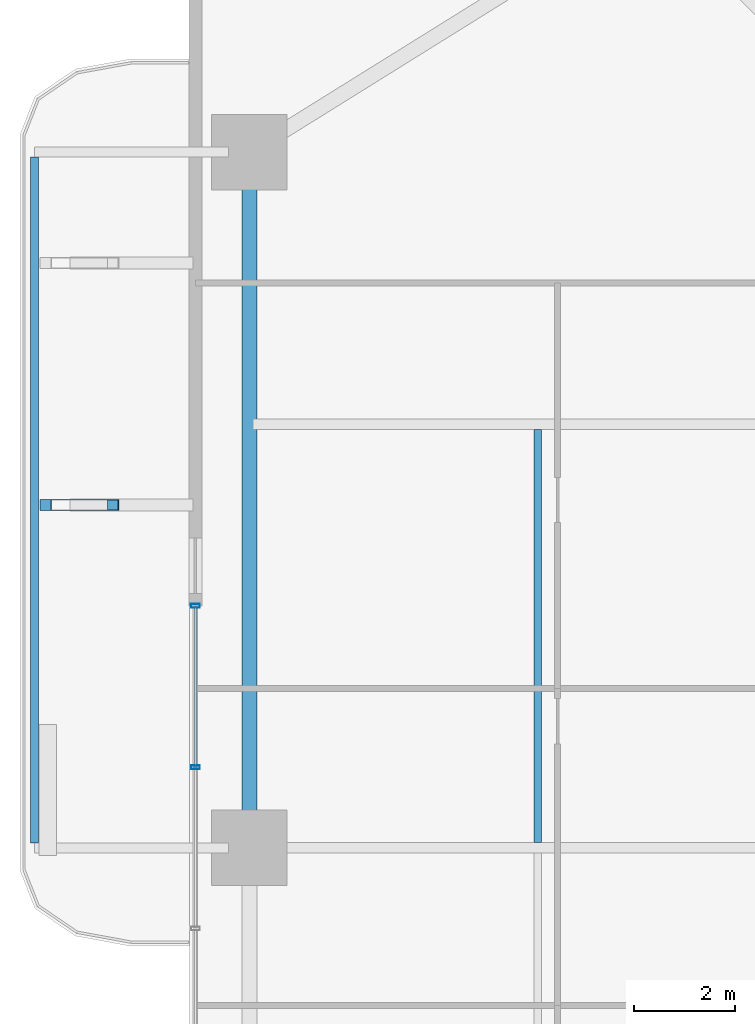
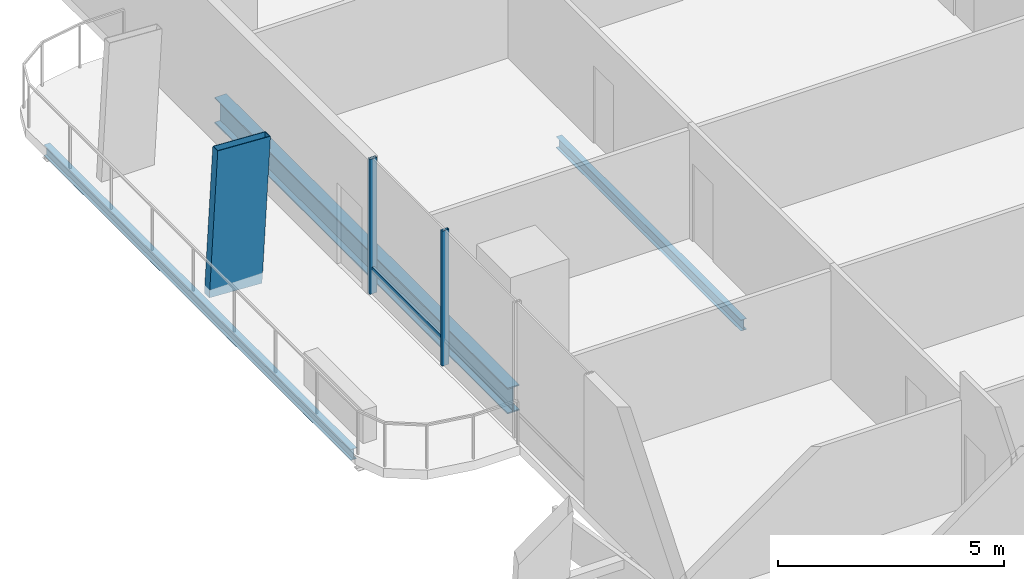
# One storey, part 9 of 23: 4 members, 3 beams, 1 element without a shape of its own.
"""IFC4 building model written with IfcOpenShell, lengths in metres."""

import ifcopenshell
import ifcopenshell.guid

model = None  # the IFC model being written
_history = None  # IfcOwnerHistory: only IFC2X3 demands one
_inside = {}  # id of a spatial element -> (the spatial element, [elements in it])
_under = {}  # id of a project, library or spatial element -> (it, [spatial elements below it])
_declared = {}  # id of a project -> (the project, [libraries it declares])
_typed = {}  # id of a type object -> (the type object, [elements of that type])
_made_of = {}  # id of a material, layer set ... -> (it, [elements and type objects made of it])


def new_model(schema):
    """Start an empty IFC model of exactly this schema.

    Asked for "IFC4X3", IfcOpenShell would pick the latest addendum, in which some entities
    have other attributes; the version numbers below select the first issue.
    IFC2X3 requires an IfcOwnerHistory on every rooted entity: one is made here for all.
    """
    global model, _history
    if schema == "IFC4X3":
        model = ifcopenshell.file(schema_version=(4, 3, 0, 0))
    else:
        model = ifcopenshell.file(schema=schema)
    _inside.clear()
    _under.clear()
    _declared.clear()
    _typed.clear()
    _made_of.clear()
    _history = None
    if model.schema == "IFC2X3":
        org = make("IfcOrganization", Name="unknown")
        user = make(
            "IfcPersonAndOrganization",
            ThePerson=make("IfcPerson", FamilyName="unknown"),
            TheOrganization=org,
        )
        app = make(
            "IfcApplication",
            ApplicationDeveloper=org,
            Version="unknown",
            ApplicationFullName="unknown",
            ApplicationIdentifier="unknown",
        )
        _history = make(
            "IfcOwnerHistory",
            OwningUser=user,
            OwningApplication=app,
            ChangeAction="ADDED",
            CreationDate=0,
        )
    return model


def make(cls, **values):
    """One entity of the class cls with the attributes given. An attribute that is None is left unset."""
    return model.create_entity(
        cls, **{name: value for name, value in values.items() if value is not None}
    )


def rooted(cls, **values):
    """An entity with a GlobalId (a new one), such as an element, a storey or a relation."""
    return make(cls, GlobalId=ifcopenshell.guid.new(), OwnerHistory=_history, **values)


def si_unit(unit_type, name, prefix=None):
    """IfcSIUnit, for example si_unit("LENGTHUNIT", "METRE", prefix="MILLI")."""
    return make("IfcSIUnit", UnitType=unit_type, Prefix=prefix, Name=name)


def assignment(units):
    """IfcUnitAssignment: the units of a project."""
    return None if units is None else make("IfcUnitAssignment", Units=units)


def point(xyz):
    """IfcCartesianPoint."""
    return None if xyz is None else make("IfcCartesianPoint", Coordinates=xyz)


def direction(xyz):
    """IfcDirection."""
    return None if xyz is None else make("IfcDirection", DirectionRatios=xyz)


def frame(location, z_axis=None, x_axis=None):
    """IfcAxis2Placement3D, a coordinate frame: its origin and axes. An axis left out is left unset."""
    return make(
        "IfcAxis2Placement3D",
        Location=point(location),
        Axis=direction(z_axis),
        RefDirection=direction(x_axis),
    )


def frame_2d(location, x_axis=None):
    """IfcAxis2Placement2D, a coordinate frame in the plane: its origin and x axis."""
    return make(
        "IfcAxis2Placement2D", Location=point(location), RefDirection=direction(x_axis)
    )


def origin():
    """The frame at (0, 0, 0) with its axes left unset."""
    return frame((0.0, 0.0, 0.0))


def origin_2d():
    """The frame at (0, 0) in the plane with its x axis left unset."""
    return frame_2d((0.0, 0.0))


def place(relative_to, where):
    """IfcLocalPlacement: puts the frame where relative to a parent placement (None: the world)."""
    return make(
        "IfcLocalPlacement", PlacementRelTo=relative_to, RelativePlacement=where
    )


def context(
    kind, dimensions, precision=None, world=None, true_north=None, identifier=None
):
    """IfcGeometricRepresentationContext, for example the 3D "Model" context."""
    return make(
        "IfcGeometricRepresentationContext",
        ContextIdentifier=identifier,
        ContextType=kind,
        CoordinateSpaceDimension=dimensions,
        Precision=precision,
        WorldCoordinateSystem=world,
        TrueNorth=true_north,
    )


def subcontext(parent, identifier, kind, view, scale=None):
    """IfcGeometricRepresentationSubContext, for example "Body" below "Model"."""
    return make(
        "IfcGeometricRepresentationSubContext",
        ContextIdentifier=identifier,
        ContextType=kind,
        ParentContext=parent,
        TargetScale=scale,
        TargetView=view,
    )


def project(units=None, contexts=None):
    """IfcProject with its units and contexts."""
    return rooted(
        "IfcProject",
        Name="project",
        RepresentationContexts=contexts,
        UnitsInContext=assignment(units),
    )


def spatial(cls, under=None, at=None, **own):
    """A site, building, storey or space (cls), placed at a placement, below another one or the project."""
    s = rooted(cls, ObjectPlacement=at, **own)
    if under is not None:
        _under.setdefault(under.id(), (under, []))[1].append(s)
    return s


def profile(cls, at=None, kind="AREA", **sizes):
    """A parametric profile (cls). Its sizes go by their IFC names, for example OverallWidth=200.0."""
    return make(cls, ProfileType=kind, Position=at, **sizes)


def hollow_rectangle(**sizes):
    """IfcRectangleHollowProfileDef."""
    return profile("IfcRectangleHollowProfileDef", **sizes)


def i_section(**sizes):
    """IfcIShapeProfileDef."""
    return profile("IfcIShapeProfileDef", **sizes)


def extrude(swept, where, along, depth):
    """IfcExtrudedAreaSolid: the profile swept, set in the frame where, extruded along a direction by depth."""
    return make(
        "IfcExtrudedAreaSolid",
        SweptArea=swept,
        Position=where,
        ExtrudedDirection=direction(along),
        Depth=depth,
    )


def shape(context_of_items, identifier, shape_type, items):
    """IfcShapeRepresentation: the items that make up one representation, for example the "Body"."""
    return make(
        "IfcShapeRepresentation",
        ContextOfItems=context_of_items,
        RepresentationIdentifier=identifier,
        RepresentationType=shape_type,
        Items=items,
    )


def material(Name=None, Category=None):
    """IfcMaterial."""
    return make("IfcMaterial", Name=Name, Category=Category)


def layer(
    of_material, thickness, ventilated=None, Name=None, Category=None, Priority=None
):
    """IfcMaterialLayer: one layer of a wall or slab, of a material (None: an air gap)."""
    return make(
        "IfcMaterialLayer",
        Material=of_material,
        LayerThickness=thickness,
        IsVentilated=ventilated,
        Name=Name,
        Category=Category,
        Priority=Priority,
    )


def layer_set(layers, Name=None):
    """IfcMaterialLayerSet."""
    return make("IfcMaterialLayerSet", MaterialLayers=layers, LayerSetName=Name)


def material_profile(
    of_material, cross_section, Name=None, Category=None, Priority=None
):
    """IfcMaterialProfile: a cross section and its material."""
    return make(
        "IfcMaterialProfile",
        Name=Name,
        Material=of_material,
        Profile=cross_section,
        Priority=Priority,
        Category=Category,
    )


def profile_set(profiles, Name=None, composite=None):
    """IfcMaterialProfileSet."""
    return make(
        "IfcMaterialProfileSet",
        Name=Name,
        MaterialProfiles=profiles,
        CompositeProfile=composite,
    )


def made_of(thing, what):
    """Note that an element or type object is made of a material, layer set ...; save() writes the relation."""
    if what is not None:
        _made_of.setdefault(what.id(), (what, []))[1].append(thing)
    return thing


def type_object(cls, material=None, **own):
    """A type object (cls), such as IfcWallType, which elements share."""
    return made_of(rooted(cls, **own), material)


def element(
    cls,
    number,
    at=None,
    inside=None,
    cuts=None,
    type_object=None,
    material=None,
    context=None,
    identifier="Body",
    shape_type=None,
    held_by="IfcProductDefinitionShape",
    body=None,
    shapes=None,
    **own,
):
    """One element of the class cls, such as IfcWall. Its Tag is "e" and its number.

    at: its placement. inside: the storey or other place that contains it. cuts: it is an
    opening in that element (IfcRelVoidsElement). A single representation is given by context,
    identifier, shape_type and body (its items); several are given by shapes. held_by: the class
    of the entity that holds the representations. save() writes the other relations.
    """
    e = rooted(cls, Tag="e%d" % number, ObjectPlacement=at, **own)
    if body is not None:
        shapes = [shape(context, identifier, shape_type, body)]
    if shapes is not None:
        e.Representation = make(held_by, Representations=shapes)
    if inside is not None:
        _inside.setdefault(inside.id(), (inside, []))[1].append(e)
    if cuts is not None:
        rooted(
            "IfcRelVoidsElement", RelatingBuildingElement=cuts, RelatedOpeningElement=e
        )
    if type_object is not None:
        _typed.setdefault(type_object.id(), (type_object, []))[1].append(e)
    return made_of(e, material)


def aggregate(whole, parts):
    """IfcRelAggregates: a whole, such as a stair, and the parts it consists of."""
    return rooted("IfcRelAggregates", RelatingObject=whole, RelatedObjects=parts)


def save(model, path):
    """Write the relations noted so far, then the file.

    IfcRelAggregates (storeys below a building ...), IfcRelContainedInSpatialStructure (elements
    in a storey), IfcRelDefinesByType, IfcRelAssociatesMaterial and IfcRelDeclares: one each for
    every whole, place, type object, material and project.
    """
    for whole, parts in _under.values():
        aggregate(whole, parts)
    for where, things in _inside.values():
        rooted(
            "IfcRelContainedInSpatialStructure",
            RelatedElements=things,
            RelatingStructure=where,
        )
    for kind, things in _typed.values():
        rooted("IfcRelDefinesByType", RelatedObjects=things, RelatingType=kind)
    for what, things in _made_of.values():
        rooted("IfcRelAssociatesMaterial", RelatedObjects=things, RelatingMaterial=what)
    for by, libraries in _declared.values():
        rooted("IfcRelDeclares", RelatingContext=by, RelatedDefinitions=libraries)
    model.write(path)


model = new_model("IFC4")

# Units and contexts
model_context = context("Model", 3, precision=1e-05, world=origin(), true_north=direction((0.0, 1.0)))
body_context = subcontext(model_context, "Body", "Model", "MODEL_VIEW")
ifc_project = project(units=[si_unit("LENGTHUNIT", "METRE"), si_unit("AREAUNIT", "SQUARE_METRE"), si_unit("VOLUMEUNIT", "CUBIC_METRE"), si_unit("PLANEANGLEUNIT", "RADIAN"), si_unit("MASSUNIT", "GRAM", prefix="KILO")], contexts=[model_context])

# Site, building, storey
site_placement = place(None, origin())
site = spatial("IfcSite", under=ifc_project, at=site_placement, CompositionType="ELEMENT")
building_placement = place(site_placement, origin())
building = spatial("IfcBuilding", under=site, at=building_placement, Name="Belovzor Exchange Tower", CompositionType="ELEMENT")
storey_placement = place(building_placement, frame((0.0, 0.0, 53.39990234375)))
storey = spatial("IfcBuildingStorey", under=building, at=storey_placement, Name="L12", CompositionType="ELEMENT", Elevation=53.39990234375)

# Member
ifc_material_1 = material(Name="Extruded Architectural Terracotta on Steel S355 Carrier", Category="masonry")
ifc_material_profile_1 = material_profile(ifc_material_1, hollow_rectangle(XDim=0.219970703125, YDim=1.35009765625, WallThickness=0.013916015625, at=origin_2d()))
ifc_profile_set_1 = profile_set([ifc_material_profile_1], Name="Extruded Architectural Terracotta on Steel S355 Carrier")
member_type_1 = type_object("IfcMemberType", Name="Base Arc Sweeping Terracotta Pylon Fin 1450", PredefinedType="USERDEFINED", material=ifc_profile_set_1)
member_1_placement = place(storey_placement, frame((-1.37890625, 35.60009765625, -0.25), z_axis=(0.055251933744, 0.0, 0.998472445197), x_axis=(0.0, 1.0, 0.0)))
element("IfcMember", 1, at=member_1_placement, inside=storey, type_object=member_type_1, Name="FIN-TC145 Terracotta Facade Fin L12 W3", ObjectType="FIN", PredefinedType="USERDEFINED", context=body_context, shape_type="SweptSolid", body=[
    extrude(hollow_rectangle(XDim=0.219970703125, YDim=1.35009765625, WallThickness=0.013916015625, at=origin_2d()), origin(), (0.0, 0.0, 1.0), 3.906005859375),
])

# Beams
ifc_material_2 = material(Name="Steel S355", Category="steel")
ifc_material_profile_2 = material_profile(ifc_material_2, i_section(OverallWidth=0.14990234375, OverallDepth=0.300048828125, WebThickness=0.007080078125, FlangeThickness=0.0107421875, at=origin_2d()))
ifc_profile_set_2 = profile_set([ifc_material_profile_2], Name="Steel S355")
beam_type_1 = type_object("IfcBeamType", Name="Planted Balcony Fascia Edge Beam IPE 300", PredefinedType="BEAM", material=ifc_profile_set_2)
beam_1_placement = place(storey_placement, frame((-2.162109375, 42.5, -0.39990234375), z_axis=(0.0, -1.0, 0.0), x_axis=(1.0, 0.0, 0.0)))
element("IfcBeam", 2, at=beam_1_placement, inside=storey, type_object=beam_type_1, Name="BC-300 Planted Balcony Fascia Edge Beam IPE 300", PredefinedType="BEAM", context=body_context, shape_type="SweptSolid", body=[
    extrude(i_section(OverallWidth=0.14990234375, OverallDepth=0.300048828125, WebThickness=0.007080078125, FlangeThickness=0.0107421875, at=origin_2d()), origin(), (0.0, 0.0, 1.0), 13.60009765625),
])
ifc_material_3 = material(Name="Steel S355", Category="steel")
ifc_material_profile_3 = material_profile(ifc_material_3, i_section(OverallWidth=0.14990234375, OverallDepth=0.300048828125, WebThickness=0.007080078125, FlangeThickness=0.0107421875, at=origin_2d()))
ifc_profile_set_3 = profile_set([ifc_material_profile_3], Name="Steel S355")
beam_type_2 = type_object("IfcBeamType", Name="Secondary Trim Floor Joist IPE 300", PredefinedType="BEAM", material=ifc_profile_set_3)
beam_2_placement = place(storey_placement, frame((7.81494140625, 28.905029296875, -0.39990234375), z_axis=(0.0, 1.0, 0.0), x_axis=(-1.0, 0.0, 0.0)))
element("IfcBeam", 3, at=beam_2_placement, inside=storey, type_object=beam_type_2, Name="FJ-300 Secondary Trim Floor Joist IPE 300", PredefinedType="BEAM", context=body_context, shape_type="SweptSolid", body=[
    extrude(i_section(OverallWidth=0.14990234375, OverallDepth=0.300048828125, WebThickness=0.007080078125, FlangeThickness=0.0107421875, at=origin_2d()), origin(), (0.0, 0.0, 1.0), 8.18994140625),
])

# Curtain wall, members
ifc_material_4 = material(Name="Anodised Aluminium Framing", Category="aluminium")
ifc_layer = layer(ifc_material_4, 0.179931640625)
ifc_layer_set = layer_set([ifc_layer], Name="Anodised Aluminium Framing")
curtain_wall_type = type_object("IfcCurtainWallType", Name="Recessed Loggia Low-Iron Triple-Glazed Curtain Wall", PredefinedType="NOTDEFINED", material=ifc_layer_set)
curtain_wall_placement = place(storey_placement, origin())
curtain_wall = element("IfcCurtainWall", 4, at=curtain_wall_placement, inside=storey, type_object=curtain_wall_type, Name="CW3 Recessed Loggia Low-Iron Triple-Glazed Curtain Wall L12", PredefinedType="NOTDEFINED")
ifc_material_5 = material(Name="Steel S355", Category="steel")
ifc_material_profile_4 = material_profile(ifc_material_5, hollow_rectangle(XDim=0.074951171875, YDim=0.179931640625, WallThickness=0.0048828125, at=origin_2d()))
ifc_profile_set_4 = profile_set([ifc_material_profile_4], Name="Steel S355")
member_type_2 = type_object("IfcMemberType", Name="Thermally Broken Curtain Wall Mullion 180x75", PredefinedType="MULLION", material=ifc_profile_set_4)
member_2_placement = place(storey_placement, frame((1.030029296875, 30.39990234375, 0.0), z_axis=(0.0, 0.0, 1.0), x_axis=(0.0, 1.0, 0.0)))
member_2 = element("IfcMember", 5, at=member_2_placement, type_object=member_type_2, Name="CW-M180 Curtain Wall Mullion 3", PredefinedType="MULLION", context=body_context, shape_type="SweptSolid", body=[
    extrude(hollow_rectangle(XDim=0.074951171875, YDim=0.179931640625, WallThickness=0.0048828125, at=origin_2d()), origin(), (0.0, 0.0, 1.0), 3.650146484375),
])
member_3_placement = place(storey_placement, frame((1.030029296875, 33.60009765625, 0.0), z_axis=(0.0, 0.0, 1.0), x_axis=(0.0, 1.0, 0.0)))
member_3 = element("IfcMember", 6, at=member_3_placement, type_object=member_type_2, Name="CW-M180 Curtain Wall Mullion 4", PredefinedType="MULLION", context=body_context, shape_type="SweptSolid", body=[
    extrude(hollow_rectangle(XDim=0.074951171875, YDim=0.179931640625, WallThickness=0.0048828125, at=origin_2d()), origin(), (0.0, 0.0, 1.0), 3.650146484375),
])
ifc_material_6 = material(Name="Steel S355", Category="steel")
ifc_material_profile_5 = material_profile(ifc_material_6, hollow_rectangle(XDim=0.06005859375, YDim=0.14990234375, WallThickness=0.00390625, at=origin_2d()))
ifc_profile_set_5 = profile_set([ifc_material_profile_5], Name="Steel S355")
member_type_3 = type_object("IfcMemberType", Name="Thermally Broken Curtain Wall Transom 150x60", PredefinedType="USERDEFINED", material=ifc_profile_set_5)
member_4_placement = place(storey_placement, frame((1.030029296875, 30.407958984375, 0.650146484375), z_axis=(0.0, 1.0, 0.0), x_axis=(-1.0, 0.0, 0.0)))
member_4 = element("IfcMember", 7, at=member_4_placement, type_object=member_type_3, Name="CW-T150 Curtain Wall Transom 3", ObjectType="TRANSOM", PredefinedType="USERDEFINED", context=body_context, shape_type="SweptSolid", body=[
    extrude(hollow_rectangle(XDim=0.06005859375, YDim=0.14990234375, WallThickness=0.00390625, at=origin_2d()), origin(), (0.0, 0.0, 1.0), 3.18408203125),
])
aggregate(curtain_wall, [member_2, member_3, member_4])

# Beam
ifc_material_7 = material(Name="Steel S355", Category="steel")
ifc_material_profile_6 = material_profile(ifc_material_7, i_section(OverallWidth=0.300048828125, OverallDepth=0.699951171875, WebThickness=0.01708984375, FlangeThickness=0.031982421875, at=origin_2d()))
ifc_profile_set_6 = profile_set([ifc_material_profile_6], Name="Steel S355")
beam_type_3 = type_object("IfcBeamType", Name="Zone 1 Primary Perimeter Girder HEB 700", PredefinedType="BEAM", material=ifc_profile_set_6)
beam_3_placement = place(storey_placement, frame((2.10009765625, 42.18798828125, -0.599853515625), z_axis=(0.0, -1.0, 0.0), x_axis=(1.0, 0.0, 0.0)))
element("IfcBeam", 8, at=beam_3_placement, inside=storey, type_object=beam_type_3, Name="FG-Z1 Zone 1 Primary Perimeter Girder HEB 700", PredefinedType="BEAM", context=body_context, shape_type="SweptSolid", body=[
    extrude(i_section(OverallWidth=0.300048828125, OverallDepth=0.699951171875, WebThickness=0.01708984375, FlangeThickness=0.031982421875, at=origin_2d()), origin(), (0.0, 0.0, 1.0), 12.97509765625),
])

save(model, "model.ifc")
